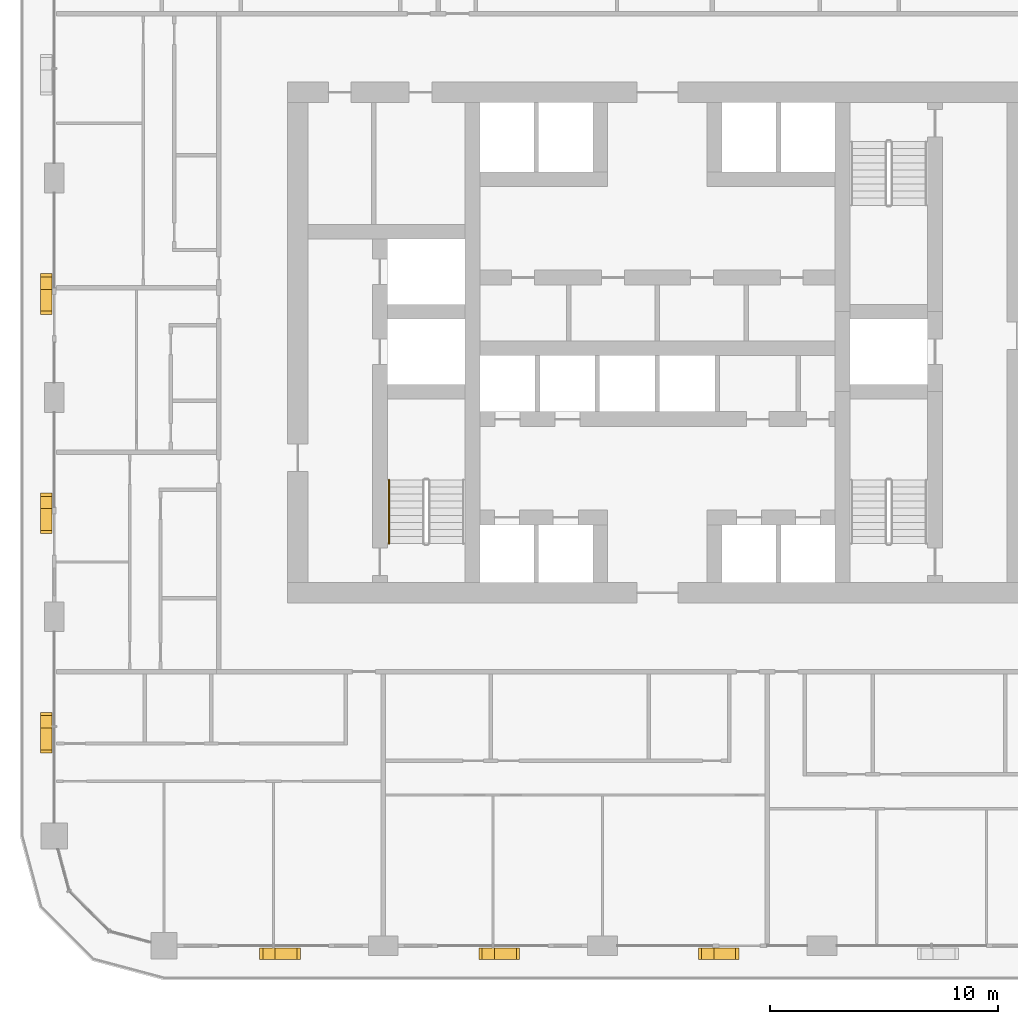
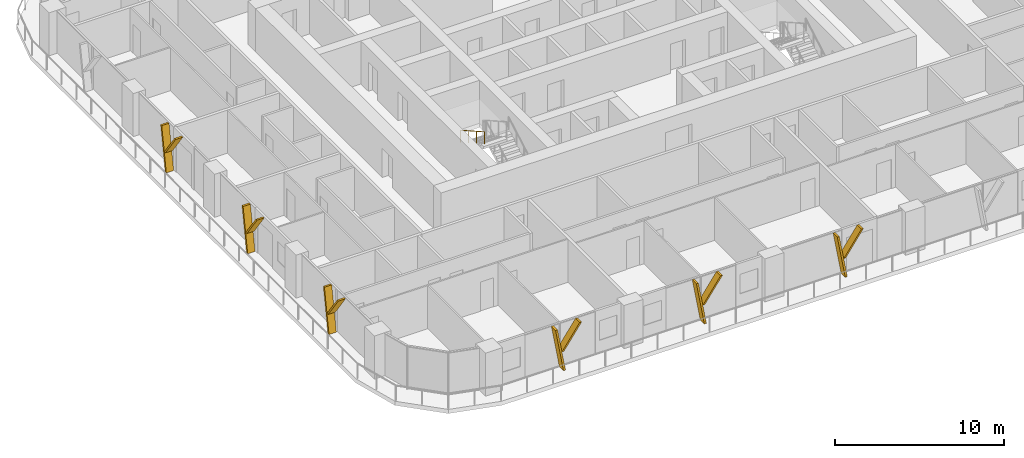
# One storey, part 16 of 21: 12 shading devices, 1 railing.
"""IFC4 building model written with IfcOpenShell, lengths in metres."""

from ifc_helpers import new_model, si_unit, direction, frame, origin, origin_2d, place, context, subcontext, project, spatial, polyline, circle, outline, extrude, material, type_object, element, save


model = new_model("IFC4")

# Units and contexts
model_context = context("Model", 3, precision=1e-05, world=origin(), true_north=direction((0.0, 1.0)))
body_context = subcontext(model_context, "Body", "Model", "MODEL_VIEW")
ifc_project = project(units=[si_unit("LENGTHUNIT", "METRE"), si_unit("AREAUNIT", "SQUARE_METRE"), si_unit("VOLUMEUNIT", "CUBIC_METRE"), si_unit("PLANEANGLEUNIT", "RADIAN"), si_unit("MASSUNIT", "GRAM", prefix="KILO")], contexts=[model_context])

# Site, building, storey
site_placement = place(None, origin())
site = spatial("IfcSite", under=ifc_project, at=site_placement, CompositionType="ELEMENT")
building_placement = place(site_placement, origin())
building = spatial("IfcBuilding", under=site, at=building_placement, Name="Madar Terraces", CompositionType="ELEMENT")
storey_placement = place(building_placement, frame((0.0, 0.0, 80.300048828125)))
storey = spatial("IfcBuildingStorey", under=building, at=storey_placement, Name="L20", CompositionType="ELEMENT", Elevation=80.300048828125)

# Shading devices
ifc_material_1 = material(Name="Aluminium, black anodised", Category="aluminium")
shading_device_type = type_object("IfcShadingDeviceType", Name="Facade fin blade 140 x 500", PredefinedType="USERDEFINED", material=ifc_material_1)
shading_device_1_placement = place(storey_placement, frame((14.330078125, -0.35009765625, 0.0), z_axis=(0.0, 0.0, 1.0), x_axis=(1.0, 0.0, 0.0)))
element("IfcShadingDevice", 1, at=shading_device_1_placement, inside=storey, type_object=shading_device_type, Name="FIN L20 S1", ObjectType="FIN", PredefinedType="USERDEFINED", context=body_context, shape_type="SweptSolid", body=[
    extrude(outline(polyline([(0.0, 0.0), (0.139892578125, 0.0), (-0.403076171875, 3.079833984375), (-0.54296875, 3.079833984375), (0.0, 0.0)])), frame((0.0, 0.25, 0.0), z_axis=(0.0, -1.0, 0.0), x_axis=(1.0, 0.0, 0.0)), (0.0, 0.0, 1.0), 0.5),
])
shading_device_2_placement = place(storey_placement, frame((14.2255859375, -0.35009765625, 1.385986328125), z_axis=(0.0, 0.0, 1.0), x_axis=(1.0, 0.0, 0.0)))
element("IfcShadingDevice", 2, at=shading_device_2_placement, inside=storey, type_object=shading_device_type, Name="FIN L20 S1 branch", ObjectType="FIN", PredefinedType="USERDEFINED", context=body_context, shape_type="SweptSolid", body=[
    extrude(outline(polyline([(0.0, 0.0), (0.14013671875, 0.0), (1.34130859375, 1.69384765625), (1.201416015625, 1.69384765625), (0.0, 0.0)])), frame((0.0, 0.25, 0.0), z_axis=(0.0, -1.0, 0.0), x_axis=(1.0, 0.0, 0.0)), (0.0, 0.0, 1.0), 0.5),
])
shading_device_3_placement = place(storey_placement, frame((23.929931640625, -0.35009765625, 0.0), z_axis=(0.0, 0.0, 1.0), x_axis=(1.0, 0.0, 0.0)))
element("IfcShadingDevice", 3, at=shading_device_3_placement, inside=storey, type_object=shading_device_type, Name="FIN L20 S2", ObjectType="FIN", PredefinedType="USERDEFINED", context=body_context, shape_type="SweptSolid", body=[
    extrude(outline(polyline([(0.0, 0.0), (0.14013671875, 0.0), (-0.403076171875, 3.079833984375), (-0.54296875, 3.079833984375), (0.0, 0.0)])), frame((0.0, 0.25, 0.0), z_axis=(0.0, -1.0, 0.0), x_axis=(1.0, 0.0, 0.0)), (0.0, 0.0, 1.0), 0.5),
])
shading_device_4_placement = place(storey_placement, frame((23.82568359375, -0.35009765625, 1.385986328125), z_axis=(0.0, 0.0, 1.0), x_axis=(1.0, 0.0, 0.0)))
element("IfcShadingDevice", 4, at=shading_device_4_placement, inside=storey, type_object=shading_device_type, Name="FIN L20 S2 branch", ObjectType="FIN", PredefinedType="USERDEFINED", context=body_context, shape_type="SweptSolid", body=[
    extrude(outline(polyline([(0.0, 0.0), (0.139892578125, 0.0), (1.34130859375, 1.69384765625), (1.201416015625, 1.69384765625), (0.0, 0.0)])), frame((0.0, 0.25, 0.0), z_axis=(0.0, -1.0, 0.0), x_axis=(1.0, 0.0, 0.0)), (0.0, 0.0, 1.0), 0.5),
])
shading_device_5_placement = place(storey_placement, frame((33.530029296875, -0.35009765625, 0.0), z_axis=(0.0, 0.0, 1.0), x_axis=(1.0, 0.0, 0.0)))
element("IfcShadingDevice", 5, at=shading_device_5_placement, inside=storey, type_object=shading_device_type, Name="FIN L20 S3", ObjectType="FIN", PredefinedType="USERDEFINED", context=body_context, shape_type="SweptSolid", body=[
    extrude(outline(polyline([(0.0, 0.0), (0.139892578125, 0.0), (-0.403076171875, 3.079833984375), (-0.54296875, 3.079833984375), (0.0, 0.0)])), frame((0.0, 0.25, 0.0), z_axis=(0.0, -1.0, 0.0), x_axis=(1.0, 0.0, 0.0)), (0.0, 0.0, 1.0), 0.5),
])
shading_device_6_placement = place(storey_placement, frame((33.425537109375, -0.35009765625, 1.385986328125), z_axis=(0.0, 0.0, 1.0), x_axis=(1.0, 0.0, 0.0)))
element("IfcShadingDevice", 6, at=shading_device_6_placement, inside=storey, type_object=shading_device_type, Name="FIN L20 S3 branch", ObjectType="FIN", PredefinedType="USERDEFINED", context=body_context, shape_type="SweptSolid", body=[
    extrude(outline(polyline([(0.0, 0.0), (0.14013671875, 0.0), (1.34130859375, 1.69384765625), (1.201416015625, 1.69384765625), (0.0, 0.0)])), frame((0.0, 0.25, 0.0), z_axis=(0.0, -1.0, 0.0), x_axis=(1.0, 0.0, 0.0)), (0.0, 0.0, 1.0), 0.5),
])
shading_device_7_placement = place(storey_placement, frame((4.449951171875, 28.8701171875, 0.0), z_axis=(0.0, 0.0, 1.0), x_axis=(0.0, -1.0, 0.0)))
element("IfcShadingDevice", 7, at=shading_device_7_placement, inside=storey, type_object=shading_device_type, Name="FIN L20 W2", ObjectType="FIN", PredefinedType="USERDEFINED", context=body_context, shape_type="SweptSolid", body=[
    extrude(outline(polyline([(0.0, 0.0), (0.14013671875, 0.0), (-0.403076171875, 3.079833984375), (-0.54296875, 3.079833984375), (0.0, 0.0)])), frame((0.0, 0.25, 0.0), z_axis=(0.0, -1.0, 0.0), x_axis=(1.0, 0.0, 0.0)), (0.0, 0.0, 1.0), 0.5),
])
shading_device_8_placement = place(storey_placement, frame((4.449951171875, 28.974365234375, 1.385986328125), z_axis=(0.0, 0.0, 1.0), x_axis=(0.0, -1.0, 0.0)))
element("IfcShadingDevice", 8, at=shading_device_8_placement, inside=storey, type_object=shading_device_type, Name="FIN L20 W2 branch", ObjectType="FIN", PredefinedType="USERDEFINED", context=body_context, shape_type="SweptSolid", body=[
    extrude(outline(polyline([(0.0, 0.0), (0.139892578125, 0.0), (1.34130859375, 1.69384765625), (1.201416015625, 1.69384765625), (0.0, 0.0)])), frame((0.0, 0.25, 0.0), z_axis=(0.0, -1.0, 0.0), x_axis=(1.0, 0.0, 0.0)), (0.0, 0.0, 1.0), 0.5),
])
shading_device_9_placement = place(storey_placement, frame((4.449951171875, 19.27001953125, 0.0), z_axis=(0.0, 0.0, 1.0), x_axis=(0.0, -1.0, 0.0)))
element("IfcShadingDevice", 9, at=shading_device_9_placement, inside=storey, type_object=shading_device_type, Name="FIN L20 W3", ObjectType="FIN", PredefinedType="USERDEFINED", context=body_context, shape_type="SweptSolid", body=[
    extrude(outline(polyline([(0.0, 0.0), (0.14013671875, 0.0), (-0.403076171875, 3.079833984375), (-0.54296875, 3.079833984375), (0.0, 0.0)])), frame((0.0, 0.25, 0.0), z_axis=(0.0, -1.0, 0.0), x_axis=(1.0, 0.0, 0.0)), (0.0, 0.0, 1.0), 0.5),
])
shading_device_10_placement = place(storey_placement, frame((4.449951171875, 19.374267578125, 1.385986328125), z_axis=(0.0, 0.0, 1.0), x_axis=(0.0, -1.0, 0.0)))
element("IfcShadingDevice", 10, at=shading_device_10_placement, inside=storey, type_object=shading_device_type, Name="FIN L20 W3 branch", ObjectType="FIN", PredefinedType="USERDEFINED", context=body_context, shape_type="SweptSolid", body=[
    extrude(outline(polyline([(0.0, 0.0), (0.139892578125, 0.0), (1.34130859375, 1.69384765625), (1.201416015625, 1.69384765625), (0.0, 0.0)])), frame((0.0, 0.25, 0.0), z_axis=(0.0, -1.0, 0.0), x_axis=(1.0, 0.0, 0.0)), (0.0, 0.0, 1.0), 0.5),
])
shading_device_11_placement = place(storey_placement, frame((4.449951171875, 9.669921875, 0.0), z_axis=(0.0, 0.0, 1.0), x_axis=(0.0, -1.0, 0.0)))
element("IfcShadingDevice", 11, at=shading_device_11_placement, inside=storey, type_object=shading_device_type, Name="FIN L20 W4", ObjectType="FIN", PredefinedType="USERDEFINED", context=body_context, shape_type="SweptSolid", body=[
    extrude(outline(polyline([(0.0, 0.0), (0.139892578125, 0.0), (-0.403076171875, 3.079833984375), (-0.54296875, 3.079833984375), (0.0, 0.0)])), frame((0.0, 0.25, 0.0), z_axis=(0.0, -1.0, 0.0), x_axis=(1.0, 0.0, 0.0)), (0.0, 0.0, 1.0), 0.5),
])
shading_device_12_placement = place(storey_placement, frame((4.449951171875, 9.7744140625, 1.385986328125), z_axis=(0.0, 0.0, 1.0), x_axis=(0.0, -1.0, 0.0)))
element("IfcShadingDevice", 12, at=shading_device_12_placement, inside=storey, type_object=shading_device_type, Name="FIN L20 W4 branch", ObjectType="FIN", PredefinedType="USERDEFINED", context=body_context, shape_type="SweptSolid", body=[
    extrude(outline(polyline([(0.0, 0.0), (0.14013671875, 0.0), (1.34130859375, 1.69384765625), (1.201416015625, 1.69384765625), (0.0, 0.0)])), frame((0.0, 0.25, 0.0), z_axis=(0.0, -1.0, 0.0), x_axis=(1.0, 0.0, 0.0)), (0.0, 0.0, 1.0), 0.5),
])

# Railing
ifc_material_2 = material(Name="Stainless steel railing", Category="steel")
railing_type = type_object("IfcRailingType", Name="Stair handrail 900", PredefinedType="HANDRAIL", material=ifc_material_2)
railing_placement = place(storey_placement, frame((19.449951171875, 20.389892578125, 1.925048828125)))
element("IfcRailing", 13, at=railing_placement, inside=storey, type_object=railing_type, Name="L20 ST1 stair handrail 2", PredefinedType="HANDRAIL", context=body_context, shape_type="SweptSolid", body=[
    extrude(circle(Radius=0.02392578125, at=origin_2d()), frame((0.0, 0.0, 0.8759765625), z_axis=(0.0, -0.870815363784, 0.491610213684), x_axis=(1.0, 0.0, 0.0)), (0.0, 0.0, 1.0), 3.20361328125),
    extrude(circle(Radius=0.02099609375, at=origin_2d()), origin(), (0.0, 0.0, 1.0), 0.851806640625),
    extrude(circle(Radius=0.02099609375, at=origin_2d()), frame((0.0, -0.929931640625, 0.52490234375)), (0.0, 0.0, 1.0), 0.851806640625),
    extrude(circle(Radius=0.02099609375, at=origin_2d()), frame((0.0, -1.85986328125, 1.050048828125)), (0.0, 0.0, 1.0), 0.851806640625),
    extrude(circle(Radius=0.02099609375, at=origin_2d()), frame((0.0, -2.789794921875, 1.574951171875)), (0.0, 0.0, 1.0), 0.851806640625),
])

save(model, "model.ifc")
